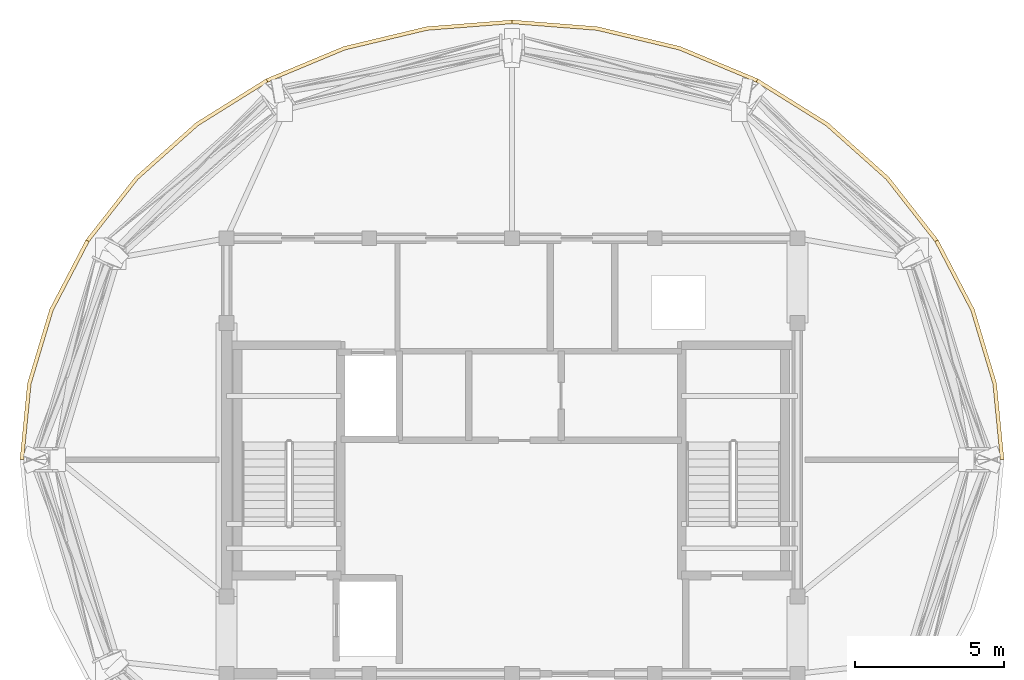
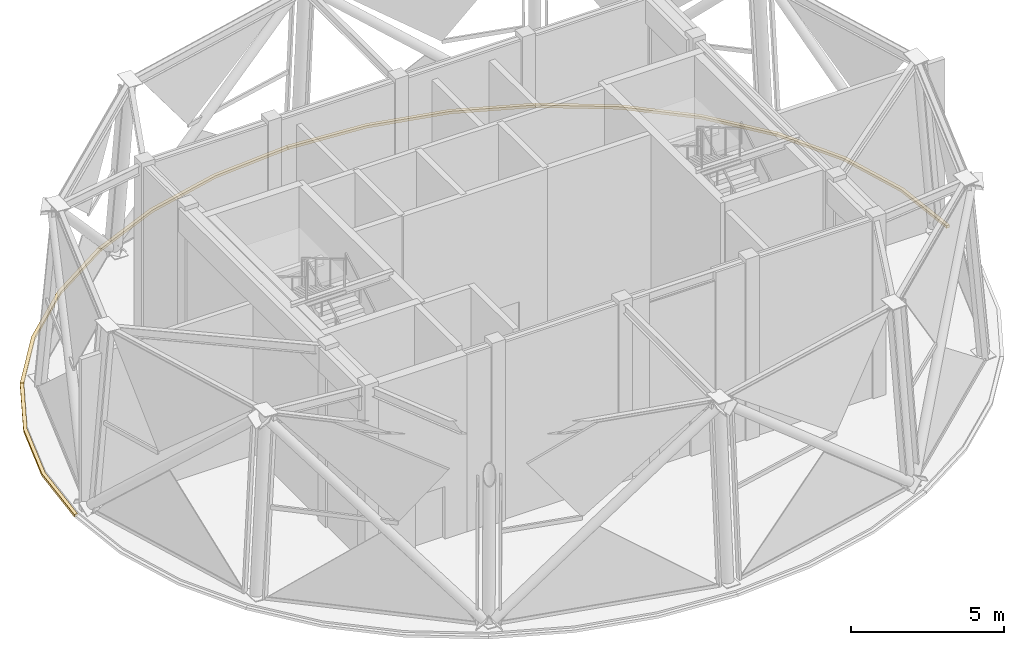
# One storey, part 9 of 9: 6 coverings.
"""IFC4 building model written with IfcOpenShell, lengths in metres."""

from ifc_helpers import new_model, si_unit, direction, frame, origin, place, context, subcontext, project, spatial, polyline, outline, extrude, material, layer, layer_set, type_object, element, save


model = new_model("IFC4")

# Units and contexts
model_context = context("Model", 3, precision=1e-05, world=origin(), true_north=direction((0.0, 1.0)))
body_context = subcontext(model_context, "Body", "Model", "MODEL_VIEW")
ifc_project = project(units=[si_unit("LENGTHUNIT", "METRE"), si_unit("AREAUNIT", "SQUARE_METRE"), si_unit("VOLUMEUNIT", "CUBIC_METRE"), si_unit("PLANEANGLEUNIT", "RADIAN"), si_unit("MASSUNIT", "GRAM", prefix="KILO")], contexts=[model_context])

# Site, building, storey
site_placement = place(None, origin())
site = spatial("IfcSite", under=ifc_project, at=site_placement, CompositionType="ELEMENT")
building_placement = place(site_placement, origin())
building = spatial("IfcBuilding", under=site, at=building_placement, Name="Vantalir Tower", CompositionType="ELEMENT")
storey_placement = place(building_placement, frame((0.0, 0.0, 319.0)))
storey = spatial("IfcBuildingStorey", under=building, at=storey_placement, Name="L78", CompositionType="ELEMENT", Elevation=319.0)

# Coverings
ifc_material = material(Name="Anodised champagne aluminium sill fascia", Category="aluminium")
ifc_layer = layer(ifc_material, 0.125)
ifc_layer_set = layer_set([ifc_layer], Name="Anodised champagne aluminium sill fascia")
covering_type = type_object("IfcCoveringType", Name="COV-SLAB-FASCIA-125", PredefinedType="CLADDING", material=ifc_layer_set)
covering_1_placement = place(storey_placement, frame((0.0, 0.0, -0.179931640625)))
element("IfcCovering", 1, at=covering_1_placement, inside=storey, type_object=covering_type, Name="L78 Perimeter Slab-Edge Sill Fascia 01", PredefinedType="CLADDING", context=body_context, shape_type="SweptSolid", body=[
    extrude(outline(polyline([(48.051025390625, 25.0), (47.800048828125, 27.568115234375), (47.052978515625, 30.05908203125), (45.833984375, 32.39501953125), (45.72509765625, 32.3330078125), (46.93505859375, 30.01611328125), (47.676025390625, 27.547119140625), (47.926025390625, 25.0), (48.051025390625, 25.0)])), origin(), (0.0, 0.0, 1.0), 0.10498046875),
])
covering_2_placement = place(storey_placement, frame((0.0, 0.0, -0.179931640625)))
element("IfcCovering", 2, at=covering_2_placement, inside=storey, type_object=covering_type, Name="L78 Perimeter Slab-Edge Sill Fascia 02", PredefinedType="CLADDING", context=body_context, shape_type="SweptSolid", body=[
    extrude(outline(polyline([(45.833984375, 32.39501953125), (44.178955078125, 34.507080078125), (42.138916015625, 36.3310546875), (39.77587890625, 37.80908203125), (39.712890625, 37.700927734375), (42.05810546875, 36.235107421875), (44.0830078125, 34.427001953125), (45.72509765625, 32.3330078125), (45.833984375, 32.39501953125)])), origin(), (0.0, 0.0, 1.0), 0.10498046875),
])
covering_3_placement = place(storey_placement, frame((0.0, 0.0, -0.179931640625)))
element("IfcCovering", 3, at=covering_3_placement, inside=storey, type_object=covering_type, Name="L78 Perimeter Slab-Edge Sill Fascia 03", PredefinedType="CLADDING", context=body_context, shape_type="SweptSolid", body=[
    extrude(outline(polyline([(39.77587890625, 37.80908203125), (37.160888671875, 38.89892578125), (34.3740234375, 39.56591796875), (31.5, 39.791015625), (31.5, 39.666015625), (34.35205078125, 39.443115234375), (37.117919921875, 38.781982421875), (39.712890625, 37.700927734375), (39.77587890625, 37.80908203125)])), origin(), (0.0, 0.0, 1.0), 0.10498046875),
])
covering_4_placement = place(storey_placement, frame((0.0, 0.0, -0.179931640625)))
element("IfcCovering", 4, at=covering_4_placement, inside=storey, type_object=covering_type, Name="L78 Perimeter Slab-Edge Sill Fascia 04", PredefinedType="CLADDING", context=body_context, shape_type="SweptSolid", body=[
    extrude(outline(polyline([(31.5, 39.791015625), (28.6259765625, 39.56591796875), (25.839111328125, 38.89892578125), (23.22509765625, 37.80908203125), (23.287109375, 37.700927734375), (25.882080078125, 38.781982421875), (28.64794921875, 39.443115234375), (31.5, 39.666015625), (31.5, 39.791015625)])), origin(), (0.0, 0.0, 1.0), 0.10498046875),
])
covering_5_placement = place(storey_placement, frame((0.0, 0.0, -0.179931640625)))
element("IfcCovering", 5, at=covering_5_placement, inside=storey, type_object=covering_type, Name="L78 Perimeter Slab-Edge Sill Fascia 05", PredefinedType="CLADDING", context=body_context, shape_type="SweptSolid", body=[
    extrude(outline(polyline([(23.22509765625, 37.80908203125), (20.861083984375, 36.3310546875), (18.821044921875, 34.507080078125), (17.166015625, 32.39501953125), (17.27490234375, 32.3330078125), (18.9169921875, 34.427001953125), (20.94189453125, 36.235107421875), (23.287109375, 37.700927734375), (23.22509765625, 37.80908203125)])), origin(), (0.0, 0.0, 1.0), 0.10498046875),
])
covering_6_placement = place(storey_placement, frame((0.0, 0.0, -0.179931640625)))
element("IfcCovering", 6, at=covering_6_placement, inside=storey, type_object=covering_type, Name="L78 Perimeter Slab-Edge Sill Fascia 06", PredefinedType="CLADDING", context=body_context, shape_type="SweptSolid", body=[
    extrude(outline(polyline([(17.166015625, 32.39501953125), (15.947021484375, 30.05908203125), (15.199951171875, 27.568115234375), (14.948974609375, 25.0), (15.073974609375, 25.0), (15.323974609375, 27.547119140625), (16.06494140625, 30.01611328125), (17.27490234375, 32.3330078125), (17.166015625, 32.39501953125)])), origin(), (0.0, 0.0, 1.0), 0.10498046875),
])

save(model, "model.ifc")
